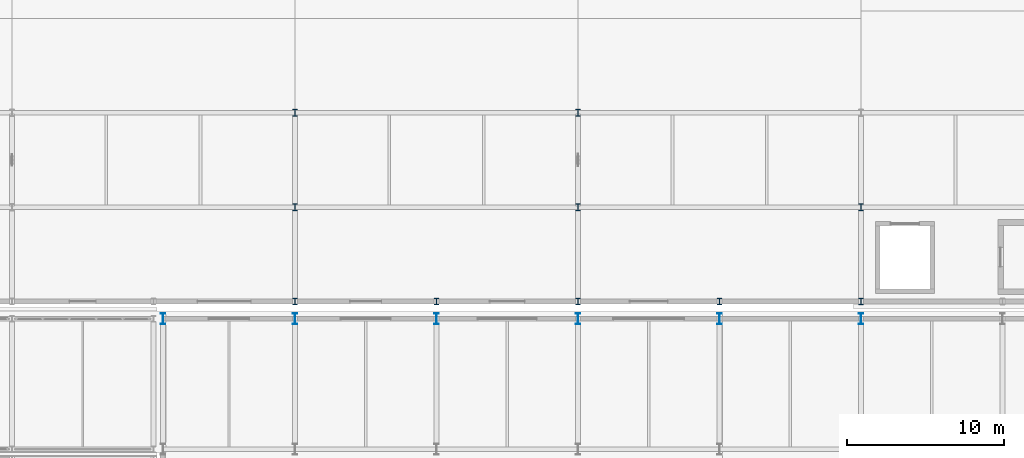
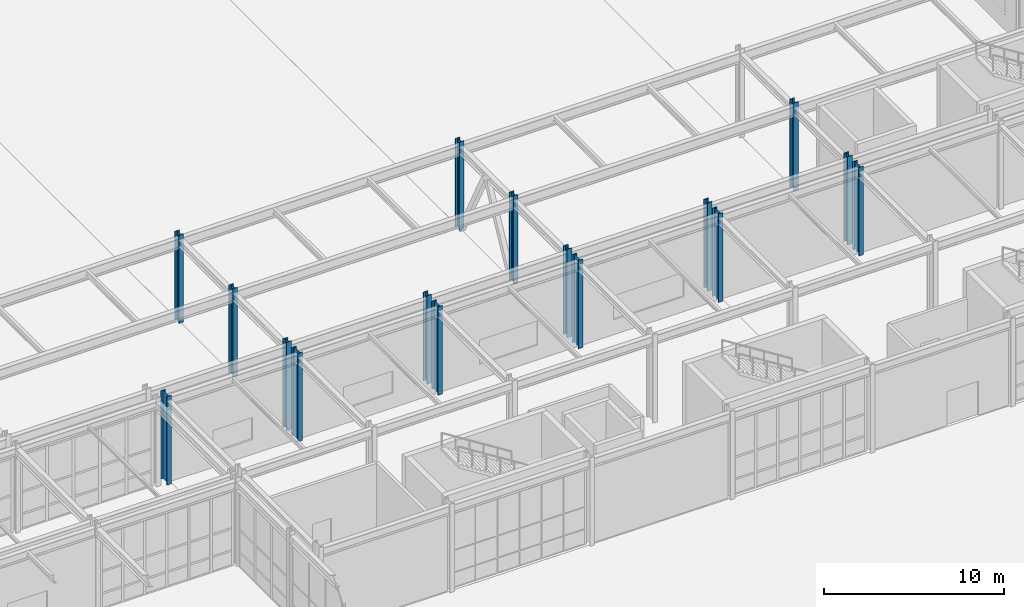
# One storey, part 7 of 146: 16 columns.
"""IFC4 building model written with IfcOpenShell, lengths in metres."""

from ifc_helpers import new_model, si_unit, direction, frame, origin, origin_2d, place, context, subcontext, project, spatial, i_section, extrude, material, material_profile, profile_set, type_object, element, save


model = new_model("IFC4")

# Units and contexts
model_context = context("Model", 3, precision=1e-05, world=origin(), true_north=direction((0.0, 1.0)))
body_context = subcontext(model_context, "Body", "Model", "MODEL_VIEW")
ifc_project = project(units=[si_unit("LENGTHUNIT", "METRE"), si_unit("AREAUNIT", "SQUARE_METRE"), si_unit("VOLUMEUNIT", "CUBIC_METRE"), si_unit("PLANEANGLEUNIT", "RADIAN"), si_unit("MASSUNIT", "GRAM", prefix="KILO")], contexts=[model_context])

# Site, building, storey
site_placement = place(None, origin())
site = spatial("IfcSite", under=ifc_project, at=site_placement, CompositionType="ELEMENT")
building_placement = place(site_placement, origin())
building = spatial("IfcBuilding", under=site, at=building_placement, Name="Kaldris Quays Convention Centre", CompositionType="ELEMENT")
storey_placement = place(building_placement, origin())
storey = spatial("IfcBuildingStorey", under=building, at=storey_placement, Name="L00", CompositionType="ELEMENT", Elevation=0.0)

# Columns
ifc_material_1 = material(Name="Steel S460ML", Category="steel")
ifc_material_profile_1 = material_profile(ifc_material_1, i_section(OverallWidth=0.306884765625, OverallDepth=0.431884765625, WebThickness=0.02099609375, FlangeThickness=0.0400390625, FilletRadius=0.027099609375, at=origin_2d()), Name="HEM 400")
ifc_profile_set_1 = profile_set([ifc_material_profile_1], Name="Steel S460ML")
column_type_1 = type_object("IfcColumnType", Name="STRUCTURAL COLUMN CL01", PredefinedType="COLUMN", material=ifc_profile_set_1)
for number, where, z_axis, x_axis, name in (
    (1, (92.0, 56.0, 0.0), (0.0, 0.0, 1.0), (1.0, 0.0, 0.0), "L00 V1 Column CL01 (92.00, 56.00)"),
    (2, (101.0, 56.0, 0.0), (0.0, 0.0, 1.0), (1.0, 0.0, 0.0), "L00 V1 Column CL01 (101.00, 56.00)"),
    (3, (110.0, 56.0, 0.0), (0.0, 0.0, 1.0), (1.0, 0.0, 0.0), "L00 V1 Column CL01 (110.00, 56.00)"),
    (4, (119.0, 56.0, 0.0), (0.0, 0.0, 1.0), (1.0, 0.0, 0.0), "L00 V1 Column CL01 (119.00, 56.00)"),
    (5, (128.0, 56.0, 0.0), (0.0, 0.0, 1.0), (1.0, 0.0, 0.0), "L00 V1 Column CL01 (128.00, 56.00)"),
):
    element("IfcColumn", number, at=place(storey_placement, frame(where, z_axis=z_axis, x_axis=x_axis)), inside=storey, type_object=column_type_1, Name=name, PredefinedType="COLUMN", context=body_context, shape_type="SweptSolid", body=[
        extrude(i_section(OverallWidth=0.306884765625, OverallDepth=0.431884765625, WebThickness=0.02099609375, FlangeThickness=0.0400390625, FilletRadius=0.027099609375, at=origin_2d()), origin(), (0.0, 0.0, 1.0), 6.0),
    ])
ifc_material_2 = material(Name="Steel S355J2", Category="steel")
ifc_material_profile_2 = material_profile(ifc_material_2, i_section(OverallWidth=0.300048828125, OverallDepth=0.699951171875, WebThickness=0.01708984375, FlangeThickness=0.031982421875, FilletRadius=0.027099609375, at=origin_2d()), Name="HEB 700")
ifc_profile_set_2 = profile_set([ifc_material_profile_2], Name="Steel S355J2")
column_type_2 = type_object("IfcColumnType", Name="STRUCTURAL COLUMN CL05", PredefinedType="COLUMN", material=ifc_profile_set_2)
for number, where, z_axis, x_axis, name in (
    (6, (83.60009765625, 54.89990234375, 0.0), (0.0, 0.0, 1.0), (1.0, 0.0, 0.0), "L00 V4 Column CL05 (83.60, 54.90)"),
    (7, (92.0, 54.89990234375, 0.0), (0.0, 0.0, 1.0), (1.0, 0.0, 0.0), "L00 V4 Column CL05 (92.00, 54.90)"),
    (8, (101.0, 54.89990234375, 0.0), (0.0, 0.0, 1.0), (1.0, 0.0, 0.0), "L00 V4 Column CL05 (101.00, 54.90)"),
    (9, (110.0, 54.89990234375, 0.0), (0.0, 0.0, 1.0), (1.0, 0.0, 0.0), "L00 V4 Column CL05 (110.00, 54.90)"),
    (10, (119.0, 54.89990234375, 0.0), (0.0, 0.0, 1.0), (1.0, 0.0, 0.0), "L00 V4 Column CL05 (119.00, 54.90)"),
    (11, (128.0, 54.89990234375, 0.0), (0.0, 0.0, 1.0), (1.0, 0.0, 0.0), "L00 V4 Column CL05 (128.00, 54.90)"),
):
    element("IfcColumn", number, at=place(storey_placement, frame(where, z_axis=z_axis, x_axis=x_axis)), inside=storey, type_object=column_type_2, Name=name, PredefinedType="COLUMN", context=body_context, shape_type="SweptSolid", body=[
        extrude(i_section(OverallWidth=0.300048828125, OverallDepth=0.699951171875, WebThickness=0.01708984375, FlangeThickness=0.031982421875, FilletRadius=0.027099609375, at=origin_2d()), origin(), (0.0, 0.0, 1.0), 6.0),
    ])
ifc_material_profile_3 = material_profile(ifc_material_2, i_section(OverallWidth=0.300048828125, OverallDepth=0.449951171875, WebThickness=0.013916015625, FlangeThickness=0.02587890625, FilletRadius=0.027099609375, at=origin_2d()), Name="HEB 450")
ifc_profile_set_3 = profile_set([ifc_material_profile_3], Name="Steel S355J2")
column_type_3 = type_object("IfcColumnType", Name="STRUCTURAL COLUMN CL08", PredefinedType="COLUMN", material=ifc_profile_set_3)
for number, where, z_axis, x_axis, name in (
    (12, (92.0, 62.0, 0.0), (0.0, 0.0, 1.0), (1.0, 0.0, 0.0), "L00 V1 Column CL08 (92.00, 62.00)"),
    (13, (92.0, 68.0, 0.0), (0.0, 0.0, 1.0), (1.0, 0.0, 0.0), "L00 V1 Column CL08 (92.00, 68.00)"),
    (14, (110.0, 62.0, 0.0), (0.0, 0.0, 1.0), (1.0, 0.0, 0.0), "L00 V1 Column CL08 (110.00, 62.00)"),
    (15, (110.0, 68.0, 0.0), (0.0, 0.0, 1.0), (1.0, 0.0, 0.0), "L00 V1 Column CL08 (110.00, 68.00)"),
    (16, (128.0, 62.0, 0.0), (0.0, 0.0, 1.0), (1.0, 0.0, 0.0), "L00 V1 Column CL08 (128.00, 62.00)"),
):
    element("IfcColumn", number, at=place(storey_placement, frame(where, z_axis=z_axis, x_axis=x_axis)), inside=storey, type_object=column_type_3, Name=name, PredefinedType="COLUMN", context=body_context, shape_type="SweptSolid", body=[
        extrude(i_section(OverallWidth=0.300048828125, OverallDepth=0.449951171875, WebThickness=0.013916015625, FlangeThickness=0.02587890625, FilletRadius=0.027099609375, at=origin_2d()), origin(), (0.0, 0.0, 1.0), 6.0),
    ])

save(model, "model.ifc")
